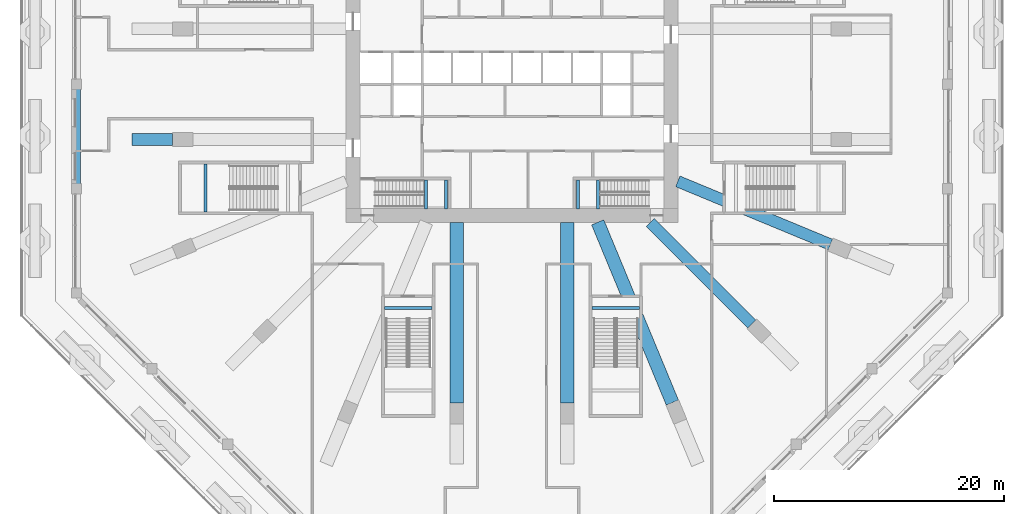
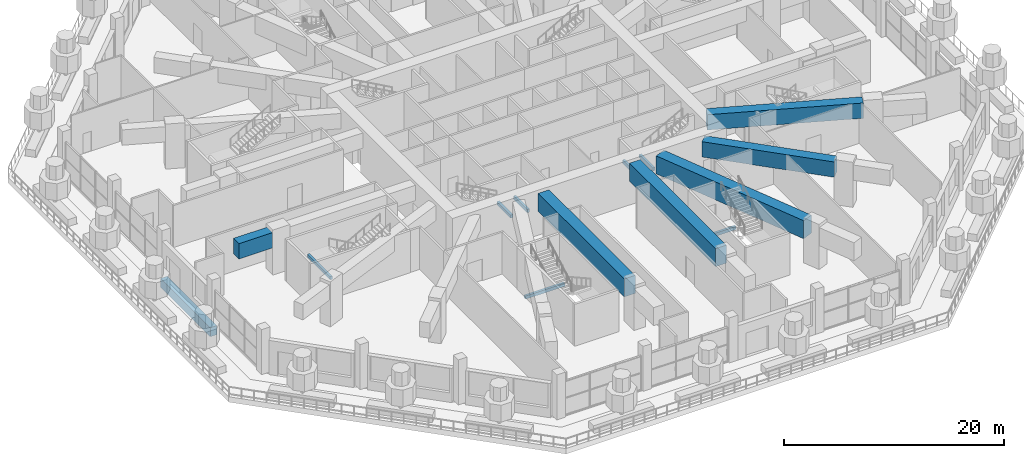
# One storey, part 5 of 25: 14 beams.
"""IFC4 building model written with IfcOpenShell, lengths in metres."""

from ifc_helpers import new_model, si_unit, direction, frame, origin, origin_2d, place, context, subcontext, project, spatial, rectangle, extrude, material, material_profile, profile_set, type_object, element, save


model = new_model("IFC4")

# Units and contexts
model_context = context("Model", 3, precision=1e-05, world=origin(), true_north=direction((0.0, 1.0)))
body_context = subcontext(model_context, "Body", "Model", "MODEL_VIEW")
ifc_project = project(units=[si_unit("LENGTHUNIT", "METRE"), si_unit("AREAUNIT", "SQUARE_METRE"), si_unit("VOLUMEUNIT", "CUBIC_METRE"), si_unit("PLANEANGLEUNIT", "RADIAN"), si_unit("MASSUNIT", "GRAM", prefix="KILO")], contexts=[model_context])

# Site, building, storey
site_placement = place(None, origin())
site = spatial("IfcSite", under=ifc_project, at=site_placement, CompositionType="ELEMENT")
building_placement = place(site_placement, origin())
building = spatial("IfcBuilding", under=site, at=building_placement, Name="Msitu Wima Residences", CompositionType="ELEMENT")
storey_placement = place(building_placement, frame((0.0, 0.0, 11.0)))
storey = spatial("IfcBuildingStorey", under=building, at=storey_placement, Name="L02", CompositionType="ELEMENT", Elevation=11.0)

# Beams
ifc_material_1 = material(Name="Concrete C40/50", Category="concrete")
ifc_material_profile_1 = material_profile(ifc_material_1, rectangle(XDim=0.25, YDim=0.35009765625, at=origin_2d()), Name="RC 250x350")
ifc_profile_set_1 = profile_set([ifc_material_profile_1], Name="Concrete C40/50")
beam_type_1 = type_object("IfcBeamType", Name="Landing beam RC 250x350", PredefinedType="BEAM", material=ifc_profile_set_1)
for number, where, z_axis, x_axis, name in (
    (1, (-7.47509765625, -10.824951171875, 2.125), (0.0, 1.0, 0.0), (-1.0, 0.0, 0.0), "Stair 2 landing beam"),
    (2, (-5.72509765625, -10.824951171875, 2.125), (0.0, 1.0, 0.0), (-1.0, 0.0, 0.0), "Stair 2 landing beam"),
    (3, (7.47509765625, -10.824951171875, 2.125), (0.0, 1.0, 0.0), (-1.0, 0.0, 0.0), "Stair 4 landing beam"),
    (4, (5.72509765625, -10.824951171875, 2.125), (0.0, 1.0, 0.0), (-1.0, 0.0, 0.0), "Stair 4 landing beam"),
):
    element("IfcBeam", number, at=place(storey_placement, frame(where, z_axis=z_axis, x_axis=x_axis)), inside=storey, type_object=beam_type_1, Name=name, PredefinedType="BEAM", context=body_context, shape_type="SweptSolid", body=[
        extrude(rectangle(XDim=0.25, YDim=0.35009765625, at=origin_2d()), origin(), (0.0, 0.0, 1.0), 2.5),
    ])
for number, where, z_axis, x_axis, name in (
    (5, (-26.60009765625, -6.925048828125, 2.125), (0.0, -1.0, 0.0), (1.0, 0.0, 0.0), "Podium exit stair 5 landing beam"),
    (6, (6.925048828125, -19.425048828125, -0.375), (1.0, 0.0, 0.0), (0.0, 1.0, 0.0), "Podium exit stair 7 floor landing beam"),
    (7, (-6.925048828125, -19.425048828125, -0.375), (-1.0, 0.0, 0.0), (0.0, -1.0, 0.0), "Podium exit stair 8 floor landing beam"),
):
    element("IfcBeam", number, at=place(storey_placement, frame(where, z_axis=z_axis, x_axis=x_axis)), inside=storey, type_object=beam_type_1, Name=name, PredefinedType="BEAM", context=body_context, shape_type="SweptSolid", body=[
        extrude(rectangle(XDim=0.25, YDim=0.35009765625, at=origin_2d()), origin(), (0.0, 0.0, 1.0), 4.14990234375),
    ])
ifc_material_2 = material(Name="Concrete C60/75", Category="concrete")
ifc_material_profile_2 = material_profile(ifc_material_2, rectangle(XDim=1.0, YDim=1.699951171875, at=origin_2d()), Name="RC 1000x1700")
ifc_profile_set_2 = profile_set([ifc_material_profile_2], Name="Concrete C60/75")
beam_type_2 = type_object("IfcBeamType", Name="Podium cantilever girder RC 1000x1700 Concrete C60/75", PredefinedType="BEAM", material=ifc_profile_set_2)
beam_1_placement = place(storey_placement, frame((14.388916015625, -8.4306640625, 3.800048828125), z_axis=(0.923876521867, -0.382690700621, 0.0), x_axis=(0.382690700621, 0.923876521867, 0.0)))
element("IfcBeam", 8, at=beam_1_placement, inside=storey, type_object=beam_type_2, Name="Podium cantilever girder L03 C-E0 back-span", PredefinedType="BEAM", context=body_context, shape_type="SweptSolid", body=[
    extrude(rectangle(XDim=1.0, YDim=1.699951171875, at=origin_2d()), origin(), (0.0, 0.0, 1.0), 14.336181640625),
])
beam_2_placement = place(storey_placement, frame((11.991455078125, -11.991455078125, 3.800048828125), z_axis=(0.707106781187, -0.707106781187, 0.0), x_axis=(0.707106781187, 0.707106781187, 0.0)))
element("IfcBeam", 9, at=beam_2_placement, inside=storey, type_object=beam_type_2, Name="Podium cantilever girder L03 C-SE1 back-span", PredefinedType="BEAM", context=body_context, shape_type="SweptSolid", body=[
    extrude(rectangle(XDim=1.0, YDim=1.699951171875, at=origin_2d()), origin(), (0.0, 0.0, 1.0), 12.4755859375),
])
ifc_material_profile_3 = material_profile(ifc_material_2, rectangle(XDim=1.14990234375, YDim=2.0, at=origin_2d()), Name="RC 1150x2000")
ifc_profile_set_3 = profile_set([ifc_material_profile_3], Name="Concrete C60/75")
beam_type_3 = type_object("IfcBeamType", Name="Podium cantilever girder RC 1150x2000 Concrete C60/75", PredefinedType="BEAM", material=ifc_profile_set_3)
for number, where, z_axis, x_axis, name in (
    (10, (-4.800048828125, -11.988037109375, 3.64990234375), (0.0, -1.0, 0.0), (1.0, 0.0, 0.0), "Podium cantilever girder L03 C-S1 back-span"),
    (11, (4.800048828125, -11.988037109375, 3.64990234375), (0.0, -1.0, 0.0), (1.0, 0.0, 0.0), "Podium cantilever girder L03 C-S2 back-span"),
):
    element("IfcBeam", number, at=place(storey_placement, frame(where, z_axis=z_axis, x_axis=x_axis)), inside=storey, type_object=beam_type_3, Name=name, PredefinedType="BEAM", context=body_context, shape_type="SweptSolid", body=[
        extrude(rectangle(XDim=1.14990234375, YDim=2.0, at=origin_2d()), origin(), (0.0, 0.0, 1.0), 15.698974609375),
    ])
beam_3_placement = place(storey_placement, frame((7.4365234375, -11.989013671875, 3.64990234375), z_axis=(0.382693039712, -0.92387555296, 0.0), x_axis=(0.92387555296, 0.382693039712, 0.0)))
element("IfcBeam", 12, at=beam_3_placement, inside=storey, type_object=beam_type_3, Name="Podium cantilever girder L03 C-SE0 back-span", PredefinedType="BEAM", context=body_context, shape_type="SweptSolid", body=[
    extrude(rectangle(XDim=1.14990234375, YDim=2.0, at=origin_2d()), origin(), (0.0, 0.0, 1.0), 16.933837890625),
])
ifc_material_profile_4 = material_profile(ifc_material_2, rectangle(XDim=1.0, YDim=1.699951171875, at=origin_2d()), Name="RC 1000x1700")
ifc_profile_set_4 = profile_set([ifc_material_profile_4], Name="Concrete C60/75")
beam_type_4 = type_object("IfcBeamType", Name="Podium cantilever girder tip RC 1000x1700 Concrete C60/75", PredefinedType="BEAM", material=ifc_profile_set_4)
beam_4_placement = place(storey_placement, frame((-29.462890625, -4.800048828125, 3.800048828125), z_axis=(-1.0, 0.0, 0.0), x_axis=(0.0, -1.0, 0.0)))
element("IfcBeam", 13, at=beam_4_placement, inside=storey, type_object=beam_type_4, Name="Podium cantilever girder L03 C-W2 cantilever", PredefinedType="BEAM", context=body_context, shape_type="SweptSolid", body=[
    extrude(rectangle(XDim=1.0, YDim=1.699951171875, at=origin_2d()), origin(), (0.0, 0.0, 1.0), 3.4990234375),
])
ifc_material_profile_5 = material_profile(ifc_material_2, rectangle(XDim=0.699951171875, YDim=1.0, at=origin_2d()), Name="RC 700x1000")
ifc_profile_set_5 = profile_set([ifc_material_profile_5], Name="Concrete C60/75")
beam_type_5 = type_object("IfcBeamType", Name="Terrace beam RC 700x1000 Concrete C60/75", PredefinedType="BEAM", material=ifc_profile_set_5)
beam_5_placement = place(storey_placement, frame((-37.800048828125, 0.0, -1.10009765625), z_axis=(0.0, -1.0, 0.0), x_axis=(1.0, 0.0, 0.0)))
element("IfcBeam", 14, at=beam_5_placement, inside=storey, type_object=beam_type_5, Name="Terrace upstand-line beam L02 C-W2", PredefinedType="BEAM", context=body_context, shape_type="SweptSolid", body=[
    extrude(rectangle(XDim=0.699951171875, YDim=1.0, at=origin_2d()), origin(), (0.0, 0.0, 1.0), 9.06396484375),
])

save(model, "model.ifc")
